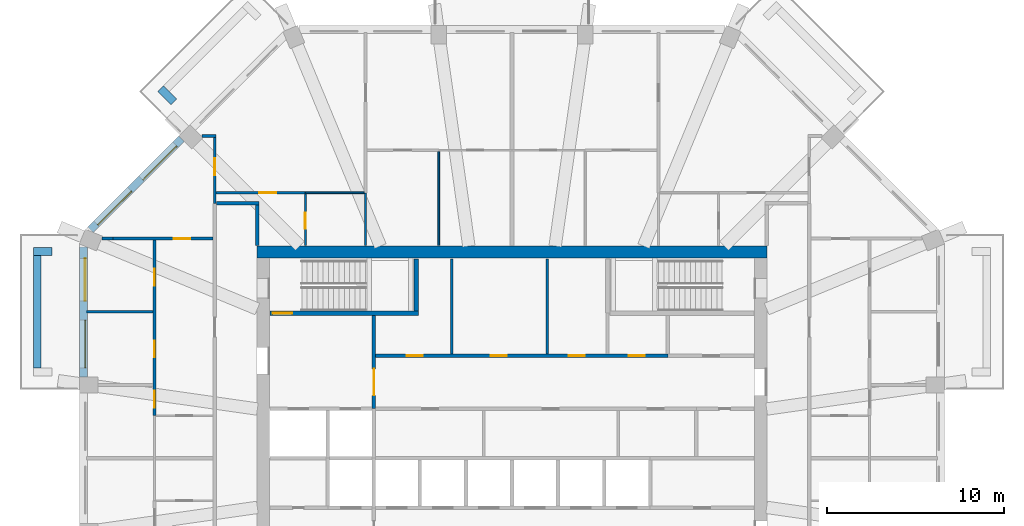
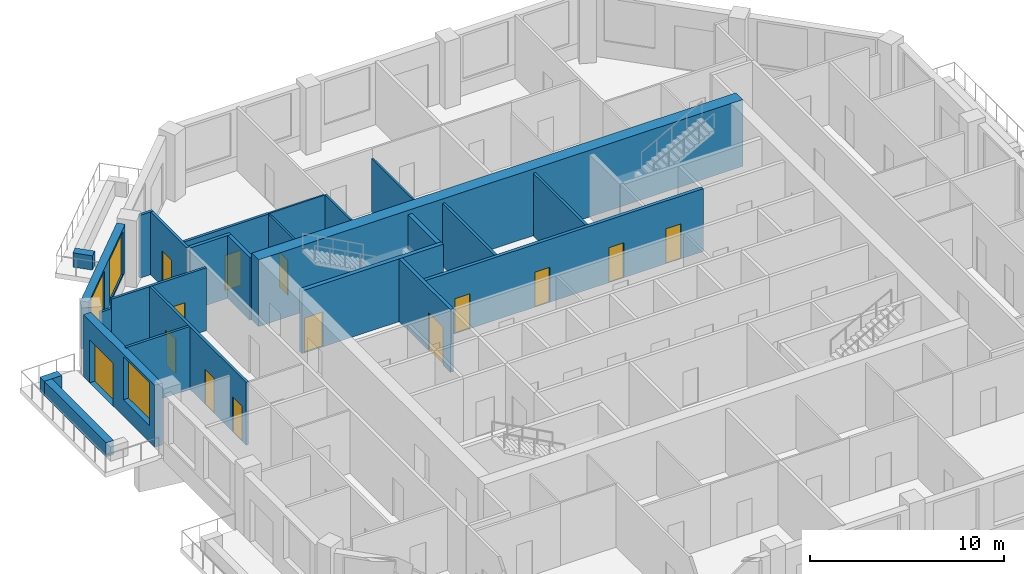
# One storey, part 7 of 12: 25 walls, 14 doors, 3 windows, 17 openings.
"""IFC4 building model written with IfcOpenShell, lengths in metres."""

import ifcopenshell
import ifcopenshell.guid

model = None  # the IFC model being written
_history = None  # IfcOwnerHistory: only IFC2X3 demands one
_inside = {}  # id of a spatial element -> (the spatial element, [elements in it])
_under = {}  # id of a project, library or spatial element -> (it, [spatial elements below it])
_declared = {}  # id of a project -> (the project, [libraries it declares])
_typed = {}  # id of a type object -> (the type object, [elements of that type])
_made_of = {}  # id of a material, layer set ... -> (it, [elements and type objects made of it])


def new_model(schema):
    """Start an empty IFC model of exactly this schema.

    Asked for "IFC4X3", IfcOpenShell would pick the latest addendum, in which some entities
    have other attributes; the version numbers below select the first issue.
    IFC2X3 requires an IfcOwnerHistory on every rooted entity: one is made here for all.
    """
    global model, _history
    if schema == "IFC4X3":
        model = ifcopenshell.file(schema_version=(4, 3, 0, 0))
    else:
        model = ifcopenshell.file(schema=schema)
    _inside.clear()
    _under.clear()
    _declared.clear()
    _typed.clear()
    _made_of.clear()
    _history = None
    if model.schema == "IFC2X3":
        org = make("IfcOrganization", Name="unknown")
        user = make(
            "IfcPersonAndOrganization",
            ThePerson=make("IfcPerson", FamilyName="unknown"),
            TheOrganization=org,
        )
        app = make(
            "IfcApplication",
            ApplicationDeveloper=org,
            Version="unknown",
            ApplicationFullName="unknown",
            ApplicationIdentifier="unknown",
        )
        _history = make(
            "IfcOwnerHistory",
            OwningUser=user,
            OwningApplication=app,
            ChangeAction="ADDED",
            CreationDate=0,
        )
    return model


def make(cls, **values):
    """One entity of the class cls with the attributes given. An attribute that is None is left unset."""
    return model.create_entity(
        cls, **{name: value for name, value in values.items() if value is not None}
    )


def rooted(cls, **values):
    """An entity with a GlobalId (a new one), such as an element, a storey or a relation."""
    return make(cls, GlobalId=ifcopenshell.guid.new(), OwnerHistory=_history, **values)


def si_unit(unit_type, name, prefix=None):
    """IfcSIUnit, for example si_unit("LENGTHUNIT", "METRE", prefix="MILLI")."""
    return make("IfcSIUnit", UnitType=unit_type, Prefix=prefix, Name=name)


def assignment(units):
    """IfcUnitAssignment: the units of a project."""
    return None if units is None else make("IfcUnitAssignment", Units=units)


def point(xyz):
    """IfcCartesianPoint."""
    return None if xyz is None else make("IfcCartesianPoint", Coordinates=xyz)


def direction(xyz):
    """IfcDirection."""
    return None if xyz is None else make("IfcDirection", DirectionRatios=xyz)


def frame(location, z_axis=None, x_axis=None):
    """IfcAxis2Placement3D, a coordinate frame: its origin and axes. An axis left out is left unset."""
    return make(
        "IfcAxis2Placement3D",
        Location=point(location),
        Axis=direction(z_axis),
        RefDirection=direction(x_axis),
    )


def frame_2d(location, x_axis=None):
    """IfcAxis2Placement2D, a coordinate frame in the plane: its origin and x axis."""
    return make(
        "IfcAxis2Placement2D", Location=point(location), RefDirection=direction(x_axis)
    )


def origin():
    """The frame at (0, 0, 0) with its axes left unset."""
    return frame((0.0, 0.0, 0.0))


def place(relative_to, where):
    """IfcLocalPlacement: puts the frame where relative to a parent placement (None: the world)."""
    return make(
        "IfcLocalPlacement", PlacementRelTo=relative_to, RelativePlacement=where
    )


def context(
    kind, dimensions, precision=None, world=None, true_north=None, identifier=None
):
    """IfcGeometricRepresentationContext, for example the 3D "Model" context."""
    return make(
        "IfcGeometricRepresentationContext",
        ContextIdentifier=identifier,
        ContextType=kind,
        CoordinateSpaceDimension=dimensions,
        Precision=precision,
        WorldCoordinateSystem=world,
        TrueNorth=true_north,
    )


def subcontext(parent, identifier, kind, view, scale=None):
    """IfcGeometricRepresentationSubContext, for example "Body" below "Model"."""
    return make(
        "IfcGeometricRepresentationSubContext",
        ContextIdentifier=identifier,
        ContextType=kind,
        ParentContext=parent,
        TargetScale=scale,
        TargetView=view,
    )


def project(units=None, contexts=None):
    """IfcProject with its units and contexts."""
    return rooted(
        "IfcProject",
        Name="project",
        RepresentationContexts=contexts,
        UnitsInContext=assignment(units),
    )


def spatial(cls, under=None, at=None, **own):
    """A site, building, storey or space (cls), placed at a placement, below another one or the project."""
    s = rooted(cls, ObjectPlacement=at, **own)
    if under is not None:
        _under.setdefault(under.id(), (under, []))[1].append(s)
    return s


def profile(cls, at=None, kind="AREA", **sizes):
    """A parametric profile (cls). Its sizes go by their IFC names, for example OverallWidth=200.0."""
    return make(cls, ProfileType=kind, Position=at, **sizes)


def rectangle(**sizes):
    """IfcRectangleProfileDef."""
    return profile("IfcRectangleProfileDef", **sizes)


def extrude(swept, where, along, depth):
    """IfcExtrudedAreaSolid: the profile swept, set in the frame where, extruded along a direction by depth."""
    return make(
        "IfcExtrudedAreaSolid",
        SweptArea=swept,
        Position=where,
        ExtrudedDirection=direction(along),
        Depth=depth,
    )


def shape(context_of_items, identifier, shape_type, items):
    """IfcShapeRepresentation: the items that make up one representation, for example the "Body"."""
    return make(
        "IfcShapeRepresentation",
        ContextOfItems=context_of_items,
        RepresentationIdentifier=identifier,
        RepresentationType=shape_type,
        Items=items,
    )


def material(Name=None, Category=None):
    """IfcMaterial."""
    return make("IfcMaterial", Name=Name, Category=Category)


def layer(
    of_material, thickness, ventilated=None, Name=None, Category=None, Priority=None
):
    """IfcMaterialLayer: one layer of a wall or slab, of a material (None: an air gap)."""
    return make(
        "IfcMaterialLayer",
        Material=of_material,
        LayerThickness=thickness,
        IsVentilated=ventilated,
        Name=Name,
        Category=Category,
        Priority=Priority,
    )


def layer_set(layers, Name=None):
    """IfcMaterialLayerSet."""
    return make("IfcMaterialLayerSet", MaterialLayers=layers, LayerSetName=Name)


def made_of(thing, what):
    """Note that an element or type object is made of a material, layer set ...; save() writes the relation."""
    if what is not None:
        _made_of.setdefault(what.id(), (what, []))[1].append(thing)
    return thing


def type_object(cls, material=None, **own):
    """A type object (cls), such as IfcWallType, which elements share."""
    return made_of(rooted(cls, **own), material)


def element(
    cls,
    number,
    at=None,
    inside=None,
    cuts=None,
    type_object=None,
    material=None,
    context=None,
    identifier="Body",
    shape_type=None,
    held_by="IfcProductDefinitionShape",
    body=None,
    shapes=None,
    **own,
):
    """One element of the class cls, such as IfcWall. Its Tag is "e" and its number.

    at: its placement. inside: the storey or other place that contains it. cuts: it is an
    opening in that element (IfcRelVoidsElement). A single representation is given by context,
    identifier, shape_type and body (its items); several are given by shapes. held_by: the class
    of the entity that holds the representations. save() writes the other relations.
    """
    e = rooted(cls, Tag="e%d" % number, ObjectPlacement=at, **own)
    if body is not None:
        shapes = [shape(context, identifier, shape_type, body)]
    if shapes is not None:
        e.Representation = make(held_by, Representations=shapes)
    if inside is not None:
        _inside.setdefault(inside.id(), (inside, []))[1].append(e)
    if cuts is not None:
        rooted(
            "IfcRelVoidsElement", RelatingBuildingElement=cuts, RelatedOpeningElement=e
        )
    if type_object is not None:
        _typed.setdefault(type_object.id(), (type_object, []))[1].append(e)
    return made_of(e, material)


def fill(opening, filler):
    """IfcRelFillsElement: the door or window that sits in an opening."""
    return rooted(
        "IfcRelFillsElement",
        RelatingOpeningElement=opening,
        RelatedBuildingElement=filler,
    )


def aggregate(whole, parts):
    """IfcRelAggregates: a whole, such as a stair, and the parts it consists of."""
    return rooted("IfcRelAggregates", RelatingObject=whole, RelatedObjects=parts)


def save(model, path):
    """Write the relations noted so far, then the file.

    IfcRelAggregates (storeys below a building ...), IfcRelContainedInSpatialStructure (elements
    in a storey), IfcRelDefinesByType, IfcRelAssociatesMaterial and IfcRelDeclares: one each for
    every whole, place, type object, material and project.
    """
    for whole, parts in _under.values():
        aggregate(whole, parts)
    for where, things in _inside.values():
        rooted(
            "IfcRelContainedInSpatialStructure",
            RelatedElements=things,
            RelatingStructure=where,
        )
    for kind, things in _typed.values():
        rooted("IfcRelDefinesByType", RelatedObjects=things, RelatingType=kind)
    for what, things in _made_of.values():
        rooted("IfcRelAssociatesMaterial", RelatedObjects=things, RelatingMaterial=what)
    for by, libraries in _declared.values():
        rooted("IfcRelDeclares", RelatingContext=by, RelatedDefinitions=libraries)
    model.write(path)


model = new_model("IFC4")

# Units and contexts
model_context = context("Model", 3, precision=1e-05, world=origin(), true_north=direction((0.0, 1.0)))
body_context = subcontext(model_context, "Body", "Model", "MODEL_VIEW")
ifc_project = project(units=[si_unit("LENGTHUNIT", "METRE"), si_unit("AREAUNIT", "SQUARE_METRE"), si_unit("VOLUMEUNIT", "CUBIC_METRE"), si_unit("PLANEANGLEUNIT", "RADIAN"), si_unit("MASSUNIT", "GRAM", prefix="KILO")], contexts=[model_context])

# Site, building, storey
site_placement = place(None, origin())
site = spatial("IfcSite", under=ifc_project, at=site_placement, CompositionType="ELEMENT")
building_placement = place(site_placement, origin())
building = spatial("IfcBuilding", under=site, at=building_placement, Name="Msitu Wima Residences", CompositionType="ELEMENT")
storey_placement = place(building_placement, frame((0.0, 0.0, 162.300048828125)))
storey = spatial("IfcBuildingStorey", under=building, at=storey_placement, Name="L37", CompositionType="ELEMENT", Elevation=162.300048828125)

# Walls
ifc_material_1 = material(Name="Facing brick")
ifc_layer_1 = layer(ifc_material_1, 0.06494140625, Name="Facing brick")
ifc_material_2 = material(Name="Concrete C40/50", Category="concrete")
ifc_layer_2 = layer(ifc_material_2, 0.156005859375, Name="Concrete C40/50")
ifc_material_3 = material(Name="Waterproofing membrane")
ifc_layer_3 = layer(ifc_material_3, 0.00390625, Name="Waterproofing membrane")
ifc_material_4 = material(Name="Planting soil and planting")
ifc_layer_4 = layer(ifc_material_4, 0.22509765625, Name="Planting soil and planting")
ifc_layer_set_1 = layer_set([ifc_layer_1, ifc_layer_2, ifc_layer_3, ifc_layer_4], Name="Concrete C40/50")
wall_type_1 = type_object("IfcWallType", Name="Balcony planter PLANTER PL450", PredefinedType="USERDEFINED", material=ifc_layer_set_1)
wall_1_placement = place(storey_placement, frame((-19.107421875, 20.1328125, 0.0), z_axis=(0.0, 0.0, 1.0), x_axis=(-0.707106781187, 0.707106781187, 0.0)))
element("IfcWall", 1, at=wall_1_placement, inside=storey, type_object=wall_type_1, Name="Balcony planter NW0 L37", ObjectType="PLANTER", PredefinedType="USERDEFINED", context=body_context, shape_type="SweptSolid", body=[
    extrude(rectangle(XDim=1.050048828125, YDim=0.449951171875, at=frame_2d((0.52490234375, 0.0))), origin(), (0.0, 0.0, 1.0), 0.89990234375),
])
wall_2_placement = place(storey_placement, frame((-26.824951171875, 11.461669921875, 0.0), z_axis=(0.0, 0.0, 1.0), x_axis=(0.0, -1.0, 0.0)))
element("IfcWall", 2, at=wall_2_placement, inside=storey, type_object=wall_type_1, Name="Balcony planter W0 L37", ObjectType="PLANTER", PredefinedType="USERDEFINED", context=body_context, shape_type="SweptSolid", body=[
    extrude(rectangle(XDim=6.37451171875, YDim=0.449951171875, at=frame_2d((3.187255859375, 0.0))), origin(), (0.0, 0.0, 1.0), 0.89990234375),
])
wall_3_placement = place(storey_placement, frame((-26.0, 11.686767578125, 0.0), z_axis=(0.0, 0.0, 1.0), x_axis=(-1.0, 0.0, 0.0)))
element("IfcWall", 3, at=wall_3_placement, inside=storey, type_object=wall_type_1, Name="Balcony planter W0 L37", ObjectType="PLANTER", PredefinedType="USERDEFINED", context=body_context, shape_type="SweptSolid", body=[
    extrude(rectangle(XDim=1.050048828125, YDim=0.449951171875, at=frame_2d((0.52490234375, 0.0))), origin(), (0.0, 0.0, 1.0), 0.89990234375),
])

# Wall, openings, windows
ifc_material_5 = material(Name="Brick (red buff mix)", Category="masonry")
ifc_layer_5 = layer(ifc_material_5, 0.449951171875)
ifc_layer_set_2 = layer_set([ifc_layer_5], Name="Brick (red buff mix)")
wall_type_2 = type_object("IfcWallType", Name="Brick infill wall BW450", PredefinedType="SOLIDWALL", material=ifc_layer_set_2)
wall_4_placement = place(storey_placement, frame((-18.68310546875, 18.046875, 0.89990234375), z_axis=(0.0, 0.0, 1.0), x_axis=(-0.707106781187, -0.707106781187, 0.0)))
wall_4 = element("IfcWall", 4, at=wall_4_placement, inside=storey, type_object=wall_type_2, Name="Brick infill wall L37 NW1", PredefinedType="SOLIDWALL", context=body_context, shape_type="SweptSolid", body=[
    extrude(rectangle(XDim=7.257080078125, YDim=0.449951171875, at=frame_2d((3.62841796875, 0.0))), origin(), (0.0, 0.0, 1.0), 3.0),
])
opening_1_placement = place(wall_4_placement, frame((0.478515625, 0.0, 0.14990234375)))
opening_1 = element("IfcOpeningElement", 5, at=opening_1_placement, cuts=wall_4, Name="Opening W37.014", PredefinedType="OPENING", context=body_context, shape_type="SweptSolid", body=[
    extrude(rectangle(XDim=2.699951171875, YDim=2.699951171875, at=frame_2d((1.35009765625, 1.35009765625))), frame((0.0, 0.23486328125, 0.0), z_axis=(0.0, -1.0, 0.0), x_axis=(1.0, 0.0, 0.0)), (0.0, 0.0, 1.0), 0.469970703125),
])
opening_2_placement = place(wall_4_placement, frame((4.07861328125, 0.0, 0.14990234375)))
opening_2 = element("IfcOpeningElement", 6, at=opening_2_placement, cuts=wall_4, Name="Opening W37.015", PredefinedType="OPENING", context=body_context, shape_type="SweptSolid", body=[
    extrude(rectangle(XDim=2.699951171875, YDim=2.699951171875, at=frame_2d((1.35009765625, 1.35009765625))), frame((0.0, 0.23486328125, 0.0), z_axis=(0.0, -1.0, 0.0), x_axis=(1.0, 0.0, 0.0)), (0.0, 0.0, 1.0), 0.469970703125),
])
ifc_material_6 = material(Name="Anodised aluminium, bronze finish, clear low-emissivity double glazing", Category="aluminium")
window_type = type_object("IfcWindowType", Name="Window W2700x2700", PartitioningType="DOUBLE_PANEL_VERTICAL", PredefinedType="WINDOW", material=ifc_material_6)
window_1_placement = place(opening_1_placement, origin())
window_1 = element("IfcWindow", 7, at=window_1_placement, inside=storey, type_object=window_type, Name="Window L37 NW1.1", OverallHeight=2.699951171875, OverallWidth=2.699951171875, PartitioningType="SINGLE_PANEL", PredefinedType="WINDOW", context=body_context, shape_type="SweptSolid", body=[
    extrude(rectangle(XDim=2.699951171875, YDim=2.699951171875, at=frame_2d((1.35009765625, 1.35009765625))), frame((0.0, 0.135009765625, 0.0), z_axis=(0.0, -1.0, 0.0), x_axis=(1.0, 0.0, 0.0)), (0.0, 0.0, 1.0), 0.06005859375),
])
fill(opening_1, window_1)
window_2_placement = place(opening_2_placement, origin())
window_2 = element("IfcWindow", 8, at=window_2_placement, inside=storey, type_object=window_type, Name="Window L37 NW1.2", OverallHeight=2.699951171875, OverallWidth=2.699951171875, PartitioningType="SINGLE_PANEL", PredefinedType="WINDOW", context=body_context, shape_type="SweptSolid", body=[
    extrude(rectangle(XDim=2.699951171875, YDim=2.699951171875, at=frame_2d((1.35009765625, 1.35009765625))), frame((0.0, 0.135009765625, 0.0), z_axis=(0.0, -1.0, 0.0), x_axis=(1.0, 0.0, 0.0)), (0.0, 0.0, 1.0), 0.06005859375),
])
fill(opening_2, window_2)

# Wall, openings, door, window
wall_5_placement = place(storey_placement, frame((-24.22509765625, 11.9248046875, 0.0), z_axis=(0.0, 0.0, 1.0), x_axis=(0.0, -1.0, 0.0)))
wall_5 = element("IfcWall", 9, at=wall_5_placement, inside=storey, type_object=wall_type_2, Name="Brick infill wall L37 W0", PredefinedType="SOLIDWALL", context=body_context, shape_type="SweptSolid", body=[
    extrude(rectangle(XDim=7.337646484375, YDim=0.449951171875, at=frame_2d((3.6689453125, 0.0))), origin(), (0.0, 0.0, 1.0), 3.89990234375),
])
opening_3_placement = place(wall_5_placement, frame((0.63427734375, 0.0, 0.0)))
opening_3 = element("IfcOpeningElement", 10, at=opening_3_placement, cuts=wall_5, Name="Opening D37.009", PredefinedType="OPENING", context=body_context, shape_type="SweptSolid", body=[
    extrude(rectangle(XDim=2.39990234375, YDim=2.699951171875, at=frame_2d((1.199951171875, 1.35009765625))), frame((0.0, 0.23486328125, 0.0), z_axis=(0.0, -1.0, 0.0), x_axis=(1.0, 0.0, 0.0)), (0.0, 0.0, 1.0), 0.469970703125),
])
opening_4_placement = place(wall_5_placement, frame((4.11865234375, 0.0, 1.050048828125)))
opening_4 = element("IfcOpeningElement", 11, at=opening_4_placement, cuts=wall_5, Name="Opening W37.027", PredefinedType="OPENING", context=body_context, shape_type="SweptSolid", body=[
    extrude(rectangle(XDim=2.699951171875, YDim=2.699951171875, at=frame_2d((1.35009765625, 1.35009765625))), frame((0.0, 0.23486328125, 0.0), z_axis=(0.0, -1.0, 0.0), x_axis=(1.0, 0.0, 0.0)), (0.0, 0.0, 1.0), 0.469970703125),
])
door_type_1 = type_object("IfcDoorType", Name="Balcony door D2400x2700", OperationType="SLIDING_TO_LEFT", PredefinedType="DOOR", material=ifc_material_6)
door_1_placement = place(opening_3_placement, origin())
door_1 = element("IfcDoor", 12, at=door_1_placement, inside=storey, type_object=door_type_1, Name="Balcony door L37 W0", OperationType="SINGLE_SWING_LEFT", OverallHeight=2.699951171875, OverallWidth=2.39990234375, PredefinedType="DOOR", context=body_context, shape_type="SweptSolid", body=[
    extrude(rectangle(XDim=2.39990234375, YDim=2.699951171875, at=frame_2d((1.199951171875, 1.35009765625))), frame((0.0, 0.1298828125, 0.0), z_axis=(0.0, -1.0, 0.0), x_axis=(1.0, 0.0, 0.0)), (0.0, 0.0, 1.0), 0.050048828125),
])
fill(opening_3, door_1)
window_3_placement = place(opening_4_placement, origin())
window_3 = element("IfcWindow", 13, at=window_3_placement, inside=storey, type_object=window_type, Name="Window L37 W0.2", OverallHeight=2.699951171875, OverallWidth=2.699951171875, PartitioningType="SINGLE_PANEL", PredefinedType="WINDOW", context=body_context, shape_type="SweptSolid", body=[
    extrude(rectangle(XDim=2.699951171875, YDim=2.699951171875, at=frame_2d((1.35009765625, 1.35009765625))), frame((0.0, 0.135009765625, 0.0), z_axis=(0.0, -1.0, 0.0), x_axis=(1.0, 0.0, 0.0)), (0.0, 0.0, 1.0), 0.06005859375),
])
fill(opening_4, window_3)

# Walls
ifc_material_7 = material(Name="Concrete C60/75", Category="concrete")
ifc_layer_6 = layer(ifc_material_7, 0.699951171875)
ifc_layer_set_3 = layer_set([ifc_layer_6], Name="Concrete C60/75")
wall_type_3 = type_object("IfcWallType", Name="Core wall CW700 C60/75", PredefinedType="SHEAR", material=ifc_layer_set_3)
wall_6_placement = place(storey_placement, frame((-14.39990234375, 11.64990234375, 0.0), z_axis=(0.0, 0.0, 1.0), x_axis=(1.0, 0.0, 0.0)))
element("IfcWall", 14, at=wall_6_placement, inside=storey, type_object=wall_type_3, Name="Core wall", PredefinedType="SHEAR", context=body_context, shape_type="SweptSolid", body=[
    extrude(rectangle(XDim=28.7998046875, YDim=0.699951171875, at=frame_2d((14.39990234375, 0.0))), origin(), (0.0, 0.0, 1.0), 4.199951171875),
])
ifc_material_8 = material(Name="Plaster")
ifc_layer_7 = layer(ifc_material_8, 0.011962890625, Name="Plaster")
ifc_material_9 = material(Name="Concrete blockwork", Category="masonry")
ifc_layer_8 = layer(ifc_material_9, 0.176025390625, Name="Concrete blockwork")
ifc_layer_9 = layer(ifc_material_8, 0.011962890625, Name="Plaster")
ifc_layer_set_4 = layer_set([ifc_layer_7, ifc_layer_8, ifc_layer_9], Name="Concrete blockwork")
wall_type_4 = type_object("IfcWallType", Name="Corridor wall FW200", PredefinedType="PARTITIONING", material=ifc_layer_set_4)
wall_7_placement = place(storey_placement, frame((-16.699951171875, 14.39990234375, 0.0), z_axis=(0.0, 0.0, 1.0), x_axis=(1.0, 0.0, 0.0)))
element("IfcWall", 15, at=wall_7_placement, inside=storey, type_object=wall_type_4, Name="Corridor wall", PredefinedType="PARTITIONING", context=body_context, shape_type="SweptSolid", body=[
    extrude(rectangle(XDim=2.39990234375, YDim=0.199951171875, at=frame_2d((1.199951171875, 0.0))), origin(), (0.0, 0.0, 1.0), 3.949951171875),
])
wall_8_placement = place(storey_placement, frame((-14.39990234375, 12.030029296875, 0.0), z_axis=(0.0, 0.0, 1.0), x_axis=(0.0, 1.0, 0.0)))
element("IfcWall", 16, at=wall_8_placement, inside=storey, type_object=wall_type_4, Name="Corridor wall", PredefinedType="PARTITIONING", context=body_context, shape_type="SweptSolid", body=[
    extrude(rectangle(XDim=2.27001953125, YDim=0.199951171875, at=frame_2d((1.135009765625, 0.0))), origin(), (0.0, 0.0, 1.0), 3.949951171875),
])

# Wall, opening, door
wall_9_placement = place(storey_placement, frame((-7.800048828125, 2.800048828125, 0.0), z_axis=(0.0, 0.0, 1.0), x_axis=(0.0, 1.0, 0.0)))
wall_9 = element("IfcWall", 17, at=wall_9_placement, inside=storey, type_object=wall_type_4, Name="Corridor wall", PredefinedType="PARTITIONING", context=body_context, shape_type="SweptSolid", body=[
    extrude(rectangle(XDim=5.27490234375, YDim=0.199951171875, at=frame_2d((2.637451171875, 0.0))), origin(), (0.0, 0.0, 1.0), 3.949951171875),
])
opening_5_placement = place(wall_9_placement, frame((0.75, 0.0, 0.0)))
opening_5 = element("IfcOpeningElement", 18, at=opening_5_placement, cuts=wall_9, Name="Opening D37.061", PredefinedType="OPENING", context=body_context, shape_type="SweptSolid", body=[
    extrude(rectangle(XDim=1.5, YDim=2.39990234375, at=frame_2d((0.75, 1.199951171875))), frame((0.0, 0.10986328125, 0.0), z_axis=(0.0, -1.0, 0.0), x_axis=(1.0, 0.0, 0.0)), (0.0, 0.0, 1.0), 0.219970703125),
])
ifc_material_10 = material(Name="Steel framed glazed door, fire resisting", Category="steel")
door_type_2 = type_object("IfcDoorType", Name="Lobby door D07 1500x2400", OperationType="DOUBLE_DOOR_SINGLE_SWING", PredefinedType="DOOR", material=ifc_material_10)
door_2_placement = place(opening_5_placement, origin())
door_2 = element("IfcDoor", 19, at=door_2_placement, inside=storey, type_object=door_type_2, Name="Lobby door", OperationType="DOUBLE_DOOR_SINGLE_SWING", OverallHeight=2.39990234375, OverallWidth=1.5, PredefinedType="DOOR", context=body_context, shape_type="SweptSolid", body=[
    extrude(rectangle(XDim=1.5, YDim=2.39990234375, at=frame_2d((0.75, 1.199951171875))), frame((0.0, 0.02490234375, 0.0), z_axis=(0.0, -1.0, 0.0), x_axis=(1.0, 0.0, 0.0)), (0.0, 0.0, 1.0), 0.050048828125),
])
fill(opening_5, door_2)

# Wall, openings, doors
wall_10_placement = place(storey_placement, frame((-7.699951171875, 5.800048828125, 0.0), z_axis=(0.0, 0.0, 1.0), x_axis=(1.0, 0.0, 0.0)))
wall_10 = element("IfcWall", 20, at=wall_10_placement, inside=storey, type_object=wall_type_4, Name="Corridor wall", PredefinedType="PARTITIONING", context=body_context, shape_type="SweptSolid", body=[
    extrude(rectangle(XDim=16.52001953125, YDim=0.199951171875, at=frame_2d((8.260009765625, 0.0))), origin(), (0.0, 0.0, 1.0), 3.949951171875),
])
opening_6_placement = place(wall_10_placement, frame((1.75, 0.0, 0.0)))
opening_6 = element("IfcOpeningElement", 21, at=opening_6_placement, cuts=wall_10, Name="Opening D37.064", PredefinedType="OPENING", context=body_context, shape_type="SweptSolid", body=[
    extrude(rectangle(XDim=0.89990234375, YDim=2.199951171875, at=frame_2d((0.449951171875, 1.10009765625))), frame((0.0, 0.10986328125, 0.0), z_axis=(0.0, -1.0, 0.0), x_axis=(1.0, 0.0, 0.0)), (0.0, 0.0, 1.0), 0.219970703125),
])
opening_7_placement = place(wall_10_placement, frame((6.5, 0.0, 0.0)))
opening_7 = element("IfcOpeningElement", 22, at=opening_7_placement, cuts=wall_10, Name="Opening D37.065", PredefinedType="OPENING", context=body_context, shape_type="SweptSolid", body=[
    extrude(rectangle(XDim=0.89990234375, YDim=2.199951171875, at=frame_2d((0.449951171875, 1.10009765625))), frame((0.0, 0.10986328125, 0.0), z_axis=(0.0, -1.0, 0.0), x_axis=(1.0, 0.0, 0.0)), (0.0, 0.0, 1.0), 0.219970703125),
])
opening_8_placement = place(wall_10_placement, frame((10.89990234375, 0.0, 0.0)))
opening_8 = element("IfcOpeningElement", 23, at=opening_8_placement, cuts=wall_10, Name="Opening D37.066", PredefinedType="OPENING", context=body_context, shape_type="SweptSolid", body=[
    extrude(rectangle(XDim=0.89990234375, YDim=2.199951171875, at=frame_2d((0.449951171875, 1.10009765625))), frame((0.0, 0.10986328125, 0.0), z_axis=(0.0, -1.0, 0.0), x_axis=(1.0, 0.0, 0.0)), (0.0, 0.0, 1.0), 0.219970703125),
])
opening_9_placement = place(wall_10_placement, frame((14.300048828125, 0.0, 0.0)))
opening_9 = element("IfcOpeningElement", 24, at=opening_9_placement, cuts=wall_10, Name="Opening D37.067", PredefinedType="OPENING", context=body_context, shape_type="SweptSolid", body=[
    extrude(rectangle(XDim=0.89990234375, YDim=2.199951171875, at=frame_2d((0.449951171875, 1.10009765625))), frame((0.0, 0.10986328125, 0.0), z_axis=(0.0, -1.0, 0.0), x_axis=(1.0, 0.0, 0.0)), (0.0, 0.0, 1.0), 0.219970703125),
])
ifc_material_11 = material(Name="Timber flush door", Category="wood")
door_type_3 = type_object("IfcDoorType", Name="Service door D05 900x2200", OperationType="SINGLE_SWING_LEFT", PredefinedType="DOOR", material=ifc_material_11)
door_3_placement = place(opening_6_placement, origin())
door_3 = element("IfcDoor", 25, at=door_3_placement, inside=storey, type_object=door_type_3, Name="Service door", OperationType="SINGLE_SWING_RIGHT", OverallHeight=2.199951171875, OverallWidth=0.89990234375, PredefinedType="DOOR", context=body_context, shape_type="SweptSolid", body=[
    extrude(rectangle(XDim=0.89990234375, YDim=2.199951171875, at=frame_2d((0.449951171875, 1.10009765625))), frame((0.0, 0.02490234375, 0.0), z_axis=(0.0, -1.0, 0.0), x_axis=(1.0, 0.0, 0.0)), (0.0, 0.0, 1.0), 0.050048828125),
])
fill(opening_6, door_3)
door_4_placement = place(opening_7_placement, origin())
door_4 = element("IfcDoor", 26, at=door_4_placement, inside=storey, type_object=door_type_3, Name="Service door", OperationType="SINGLE_SWING_LEFT", OverallHeight=2.199951171875, OverallWidth=0.89990234375, PredefinedType="DOOR", context=body_context, shape_type="SweptSolid", body=[
    extrude(rectangle(XDim=0.89990234375, YDim=2.199951171875, at=frame_2d((0.449951171875, 1.10009765625))), frame((0.0, 0.02490234375, 0.0), z_axis=(0.0, -1.0, 0.0), x_axis=(1.0, 0.0, 0.0)), (0.0, 0.0, 1.0), 0.050048828125),
])
fill(opening_7, door_4)
door_5_placement = place(opening_8_placement, origin())
door_5 = element("IfcDoor", 27, at=door_5_placement, inside=storey, type_object=door_type_3, Name="Service door", OperationType="SINGLE_SWING_LEFT", OverallHeight=2.199951171875, OverallWidth=0.89990234375, PredefinedType="DOOR", context=body_context, shape_type="SweptSolid", body=[
    extrude(rectangle(XDim=0.89990234375, YDim=2.199951171875, at=frame_2d((0.449951171875, 1.10009765625))), frame((0.0, 0.02490234375, 0.0), z_axis=(0.0, -1.0, 0.0), x_axis=(1.0, 0.0, 0.0)), (0.0, 0.0, 1.0), 0.050048828125),
])
fill(opening_8, door_5)
door_6_placement = place(opening_9_placement, origin())
door_6 = element("IfcDoor", 28, at=door_6_placement, inside=storey, type_object=door_type_3, Name="Service door", OperationType="SINGLE_SWING_LEFT", OverallHeight=2.199951171875, OverallWidth=0.89990234375, PredefinedType="DOOR", context=body_context, shape_type="SweptSolid", body=[
    extrude(rectangle(XDim=0.89990234375, YDim=2.199951171875, at=frame_2d((0.449951171875, 1.10009765625))), frame((0.0, 0.02490234375, 0.0), z_axis=(0.0, -1.0, 0.0), x_axis=(1.0, 0.0, 0.0)), (0.0, 0.0, 1.0), 0.050048828125),
])
fill(opening_9, door_6)

# Walls
ifc_layer_10 = layer(ifc_material_8, 0.011962890625, Name="Plaster")
ifc_layer_11 = layer(ifc_material_9, 0.1259765625, Name="Concrete blockwork")
ifc_layer_12 = layer(ifc_material_8, 0.011962890625, Name="Plaster")
ifc_layer_set_5 = layer_set([ifc_layer_10, ifc_layer_11, ifc_layer_12], Name="Concrete blockwork")
wall_type_5 = type_object("IfcWallType", Name="Partition PW150", PredefinedType="PARTITIONING", material=ifc_layer_set_5)
wall_11_placement = place(storey_placement, frame((-24.054931640625, 8.2744140625, 0.0), z_axis=(0.0, 0.0, 1.0), x_axis=(1.0, 0.0, 0.0)))
element("IfcWall", 29, at=wall_11_placement, inside=storey, type_object=wall_type_5, Name="Partition", PredefinedType="PARTITIONING", context=body_context, shape_type="SweptSolid", body=[
    extrude(rectangle(XDim=3.780029296875, YDim=0.14990234375, at=frame_2d((1.89013671875, 0.0))), origin(), (0.0, 0.0, 1.0), 3.949951171875),
])
wall_12_placement = place(storey_placement, frame((-23.1689453125, 12.411865234375, 0.0), z_axis=(0.0, 0.0, 1.0), x_axis=(1.0, 0.0, 0.0)))
element("IfcWall", 30, at=wall_12_placement, inside=storey, type_object=wall_type_5, Name="Partition", PredefinedType="PARTITIONING", context=body_context, shape_type="SweptSolid", body=[
    extrude(rectangle(XDim=0.630615234375, YDim=0.14990234375, at=frame_2d((0.3154296875, 0.0))), origin(), (0.0, 0.0, 1.0), 3.349853515625),
])

# Wall, opening, door
wall_13_placement = place(storey_placement, frame((-22.538330078125, 12.411865234375, 0.0), z_axis=(0.0, 0.0, 1.0), x_axis=(1.0, 0.0, 0.0)))
wall_13 = element("IfcWall", 31, at=wall_13_placement, inside=storey, type_object=wall_type_5, Name="Partition", PredefinedType="PARTITIONING", context=body_context, shape_type="SweptSolid", body=[
    extrude(rectangle(XDim=5.638427734375, YDim=0.14990234375, at=frame_2d((2.8193359375, 0.0))), origin(), (0.0, 0.0, 1.0), 3.949951171875),
])
opening_10_placement = place(wall_13_placement, frame((3.41943359375, 0.0, 0.0)))
opening_10 = element("IfcOpeningElement", 32, at=opening_10_placement, cuts=wall_13, Name="Opening D37.030", PredefinedType="OPENING", context=body_context, shape_type="SweptSolid", body=[
    extrude(rectangle(XDim=0.949951171875, YDim=2.199951171875, at=frame_2d((0.47509765625, 1.10009765625))), frame((0.0, 0.0849609375, 0.0), z_axis=(0.0, -1.0, 0.0), x_axis=(1.0, 0.0, 0.0)), (0.0, 0.0, 1.0), 0.169921875),
])
door_type_4 = type_object("IfcDoorType", Name="Room door D12 950x2200", OperationType="SINGLE_SWING_LEFT", PredefinedType="DOOR", material=ifc_material_11)
door_7_placement = place(opening_10_placement, origin())
door_7 = element("IfcDoor", 33, at=door_7_placement, inside=storey, type_object=door_type_4, Name="Room door", OperationType="SINGLE_SWING_RIGHT", OverallHeight=2.199951171875, OverallWidth=0.949951171875, PredefinedType="DOOR", context=body_context, shape_type="SweptSolid", body=[
    extrude(rectangle(XDim=0.949951171875, YDim=2.199951171875, at=frame_2d((0.47509765625, 1.10009765625))), frame((0.0, 0.02490234375, 0.0), z_axis=(0.0, -1.0, 0.0), x_axis=(1.0, 0.0, 0.0)), (0.0, 0.0, 1.0), 0.050048828125),
])
fill(opening_10, door_7)

# Wall, openings, doors
wall_14_placement = place(storey_placement, frame((-20.199951171875, 2.39990234375, 0.0), z_axis=(0.0, 0.0, 1.0), x_axis=(0.0, 1.0, 0.0)))
wall_14 = element("IfcWall", 34, at=wall_14_placement, inside=storey, type_object=wall_type_5, Name="Partition", PredefinedType="PARTITIONING", context=body_context, shape_type="SweptSolid", body=[
    extrude(rectangle(XDim=9.936767578125, YDim=0.14990234375, at=frame_2d((4.96826171875, 0.0))), origin(), (0.0, 0.0, 1.0), 3.949951171875),
])
opening_11_placement = place(wall_14_placement, frame((0.449951171875, 0.0, 0.0)))
opening_11 = element("IfcOpeningElement", 35, at=opening_11_placement, cuts=wall_14, Name="Opening D37.027", PredefinedType="OPENING", context=body_context, shape_type="SweptSolid", body=[
    extrude(rectangle(XDim=0.949951171875, YDim=2.199951171875, at=frame_2d((0.47509765625, 1.10009765625))), frame((0.0, 0.0849609375, 0.0), z_axis=(0.0, -1.0, 0.0), x_axis=(1.0, 0.0, 0.0)), (0.0, 0.0, 1.0), 0.169921875),
])
opening_12_placement = place(wall_14_placement, frame((3.300048828125, 0.0, 0.0)))
opening_12 = element("IfcOpeningElement", 36, at=opening_12_placement, cuts=wall_14, Name="Opening D37.028", PredefinedType="OPENING", context=body_context, shape_type="SweptSolid", body=[
    extrude(rectangle(XDim=0.949951171875, YDim=2.199951171875, at=frame_2d((0.47509765625, 1.10009765625))), frame((0.0, 0.0849609375, 0.0), z_axis=(0.0, -1.0, 0.0), x_axis=(1.0, 0.0, 0.0)), (0.0, 0.0, 1.0), 0.169921875),
])
opening_13_placement = place(wall_14_placement, frame((7.35009765625, 0.0, 0.0)))
opening_13 = element("IfcOpeningElement", 37, at=opening_13_placement, cuts=wall_14, Name="Opening D37.029", PredefinedType="OPENING", context=body_context, shape_type="SweptSolid", body=[
    extrude(rectangle(XDim=0.949951171875, YDim=2.199951171875, at=frame_2d((0.47509765625, 1.10009765625))), frame((0.0, 0.0849609375, 0.0), z_axis=(0.0, -1.0, 0.0), x_axis=(1.0, 0.0, 0.0)), (0.0, 0.0, 1.0), 0.169921875),
])
door_8_placement = place(opening_11_placement, origin())
door_8 = element("IfcDoor", 38, at=door_8_placement, inside=storey, type_object=door_type_4, Name="Room door", OperationType="SINGLE_SWING_RIGHT", OverallHeight=2.199951171875, OverallWidth=0.949951171875, PredefinedType="DOOR", context=body_context, shape_type="SweptSolid", body=[
    extrude(rectangle(XDim=0.949951171875, YDim=2.199951171875, at=frame_2d((0.47509765625, 1.10009765625))), frame((0.0, 0.02490234375, 0.0), z_axis=(0.0, -1.0, 0.0), x_axis=(1.0, 0.0, 0.0)), (0.0, 0.0, 1.0), 0.050048828125),
])
fill(opening_11, door_8)
door_9_placement = place(opening_12_placement, origin())
door_9 = element("IfcDoor", 39, at=door_9_placement, inside=storey, type_object=door_type_4, Name="Room door", OperationType="SINGLE_SWING_LEFT", OverallHeight=2.199951171875, OverallWidth=0.949951171875, PredefinedType="DOOR", context=body_context, shape_type="SweptSolid", body=[
    extrude(rectangle(XDim=0.949951171875, YDim=2.199951171875, at=frame_2d((0.47509765625, 1.10009765625))), frame((0.0, 0.02490234375, 0.0), z_axis=(0.0, -1.0, 0.0), x_axis=(1.0, 0.0, 0.0)), (0.0, 0.0, 1.0), 0.050048828125),
])
fill(opening_12, door_9)
door_10_placement = place(opening_13_placement, origin())
door_10 = element("IfcDoor", 40, at=door_10_placement, inside=storey, type_object=door_type_4, Name="Room door", OperationType="SINGLE_SWING_LEFT", OverallHeight=2.199951171875, OverallWidth=0.949951171875, PredefinedType="DOOR", context=body_context, shape_type="SweptSolid", body=[
    extrude(rectangle(XDim=0.949951171875, YDim=2.199951171875, at=frame_2d((0.47509765625, 1.10009765625))), frame((0.0, 0.02490234375, 0.0), z_axis=(0.0, -1.0, 0.0), x_axis=(1.0, 0.0, 0.0)), (0.0, 0.0, 1.0), 0.050048828125),
])
fill(opening_13, door_10)

# Wall
wall_15_placement = place(storey_placement, frame((-17.509521484375, 18.205810546875, 0.0), z_axis=(0.0, 0.0, 1.0), x_axis=(1.0, 0.0, 0.0)))
element("IfcWall", 41, at=wall_15_placement, inside=storey, type_object=wall_type_5, Name="Partition", PredefinedType="PARTITIONING", context=body_context, shape_type="SweptSolid", body=[
    extrude(rectangle(XDim=0.784423828125, YDim=0.14990234375, at=frame_2d((0.39208984375, 0.0))), origin(), (0.0, 0.0, 1.0), 3.949951171875),
])

# Wall, opening, door
wall_16_placement = place(storey_placement, frame((-16.800048828125, 14.39990234375, 0.0), z_axis=(0.0, 0.0, 1.0), x_axis=(0.0, 1.0, 0.0)))
wall_16 = element("IfcWall", 42, at=wall_16_placement, inside=storey, type_object=wall_type_5, Name="Partition", PredefinedType="PARTITIONING", context=body_context, shape_type="SweptSolid", body=[
    extrude(rectangle(XDim=3.73095703125, YDim=0.14990234375, at=frame_2d((1.865478515625, 0.0))), origin(), (0.0, 0.0, 1.0), 3.949951171875),
])
opening_14_placement = place(wall_16_placement, frame((1.60009765625, 0.0, 0.0)))
opening_14 = element("IfcOpeningElement", 43, at=opening_14_placement, cuts=wall_16, Name="Opening D37.031", PredefinedType="OPENING", context=body_context, shape_type="SweptSolid", body=[
    extrude(rectangle(XDim=0.949951171875, YDim=2.199951171875, at=frame_2d((0.47509765625, 1.10009765625))), frame((0.0, 0.0849609375, 0.0), z_axis=(0.0, -1.0, 0.0), x_axis=(1.0, 0.0, 0.0)), (0.0, 0.0, 1.0), 0.169921875),
])
door_11_placement = place(opening_14_placement, origin())
door_11 = element("IfcDoor", 44, at=door_11_placement, inside=storey, type_object=door_type_4, Name="Room door", OperationType="SINGLE_SWING_RIGHT", OverallHeight=2.199951171875, OverallWidth=0.949951171875, PredefinedType="DOOR", context=body_context, shape_type="SweptSolid", body=[
    extrude(rectangle(XDim=0.949951171875, YDim=2.199951171875, at=frame_2d((0.47509765625, 1.10009765625))), frame((0.0, 0.02490234375, 0.0), z_axis=(0.0, -1.0, 0.0), x_axis=(1.0, 0.0, 0.0)), (0.0, 0.0, 1.0), 0.050048828125),
])
fill(opening_14, door_11)

wall_17_placement = place(storey_placement, frame((-16.72509765625, 15.0, 0.0), z_axis=(0.0, 0.0, 1.0), x_axis=(1.0, 0.0, 0.0)))
wall_17 = element("IfcWall", 45, at=wall_17_placement, inside=storey, type_object=wall_type_5, Name="Partition", PredefinedType="PARTITIONING", context=body_context, shape_type="SweptSolid", body=[
    extrude(rectangle(XDim=5.050537109375, YDim=0.14990234375, at=frame_2d((2.525390625, 0.0))), origin(), (0.0, 0.0, 1.0), 3.949951171875),
])
opening_15_placement = place(wall_17_placement, frame((2.449951171875, 0.0, 0.0)))
opening_15 = element("IfcOpeningElement", 46, at=opening_15_placement, cuts=wall_17, Name="Opening D37.033", PredefinedType="OPENING", context=body_context, shape_type="SweptSolid", body=[
    extrude(rectangle(XDim=0.949951171875, YDim=2.199951171875, at=frame_2d((0.47509765625, 1.10009765625))), frame((0.0, 0.0849609375, 0.0), z_axis=(0.0, -1.0, 0.0), x_axis=(1.0, 0.0, 0.0)), (0.0, 0.0, 1.0), 0.169921875),
])
door_12_placement = place(opening_15_placement, origin())
door_12 = element("IfcDoor", 47, at=door_12_placement, inside=storey, type_object=door_type_4, Name="Room door", OperationType="SINGLE_SWING_LEFT", OverallHeight=2.199951171875, OverallWidth=0.949951171875, PredefinedType="DOOR", context=body_context, shape_type="SweptSolid", body=[
    extrude(rectangle(XDim=0.949951171875, YDim=2.199951171875, at=frame_2d((0.47509765625, 1.10009765625))), frame((0.0, 0.02490234375, 0.0), z_axis=(0.0, -1.0, 0.0), x_axis=(1.0, 0.0, 0.0)), (0.0, 0.0, 1.0), 0.050048828125),
])
fill(opening_15, door_12)

# Walls
for number, where, z_axis, x_axis, name in (
    (48, (-3.39990234375, 5.89990234375, 0.0), (0.0, 0.0, 1.0), (0.0, 1.0, 0.0), "Partition"),
    (49, (2.0, 5.89990234375, 0.0), (0.0, 0.0, 1.0), (0.0, 1.0, 0.0), "Partition"),
):
    element("IfcWall", number, at=place(storey_placement, frame(where, z_axis=z_axis, x_axis=x_axis)), inside=storey, type_object=wall_type_5, Name=name, PredefinedType="PARTITIONING", context=body_context, shape_type="SweptSolid", body=[
        extrude(rectangle(XDim=5.3701171875, YDim=0.14990234375, at=frame_2d((2.68505859375, 0.0))), origin(), (0.0, 0.0, 1.0), 3.949951171875),
    ])

# Wall, opening, door
ifc_material_12 = material(Name="Concrete C50/60", Category="concrete")
ifc_layer_13 = layer(ifc_material_12, 0.25)
ifc_layer_set_6 = layer_set([ifc_layer_13], Name="Concrete C50/60")
wall_type_6 = type_object("IfcWallType", Name="Stair enclosure wall SW250", PredefinedType="SHEAR", material=ifc_layer_set_6)
wall_18_placement = place(storey_placement, frame((-13.669921875, 8.199951171875, 0.0), z_axis=(0.0, 0.0, 1.0), x_axis=(1.0, 0.0, 0.0)))
wall_18 = element("IfcWall", 50, at=wall_18_placement, inside=storey, type_object=wall_type_6, Name="Stair enclosure wall", PredefinedType="SHEAR", context=body_context, shape_type="SweptSolid", body=[
    extrude(rectangle(XDim=8.39501953125, YDim=0.25, at=frame_2d((4.197509765625, 0.0))), origin(), (0.0, 0.0, 1.0), 3.949951171875),
])
opening_16_placement = place(wall_18_placement, frame((0.14990234375, 0.0, 0.0)))
opening_16 = element("IfcOpeningElement", 51, at=opening_16_placement, cuts=wall_18, Name="Opening D37.081", PredefinedType="OPENING", context=body_context, shape_type="SweptSolid", body=[
    extrude(rectangle(XDim=1.10009765625, YDim=2.199951171875, at=frame_2d((0.550048828125, 1.10009765625))), frame((0.0, 0.135009765625, 0.0), z_axis=(0.0, -1.0, 0.0), x_axis=(1.0, 0.0, 0.0)), (0.0, 0.0, 1.0), 0.27001953125),
])
ifc_material_13 = material(Name="Steel door, fire resisting, panic bar", Category="steel")
door_type_5 = type_object("IfcDoorType", Name="Stair door D06 1100x2200", OperationType="SINGLE_SWING_LEFT", PredefinedType="DOOR", material=ifc_material_13)
door_13_placement = place(opening_16_placement, origin())
door_13 = element("IfcDoor", 52, at=door_13_placement, inside=storey, type_object=door_type_5, Name="Stair door", OperationType="SINGLE_SWING_LEFT", OverallHeight=2.199951171875, OverallWidth=1.10009765625, PredefinedType="DOOR", context=body_context, shape_type="SweptSolid", body=[
    extrude(rectangle(XDim=1.10009765625, YDim=2.199951171875, at=frame_2d((0.550048828125, 1.10009765625))), frame((0.0, 0.02490234375, 0.0), z_axis=(0.0, -1.0, 0.0), x_axis=(1.0, 0.0, 0.0)), (0.0, 0.0, 1.0), 0.050048828125),
])
fill(opening_16, door_13)

# Wall
wall_19_placement = place(storey_placement, frame((-5.39990234375, 8.324951171875, 0.0), z_axis=(0.0, 0.0, 1.0), x_axis=(0.0, 1.0, 0.0)))
element("IfcWall", 53, at=wall_19_placement, inside=storey, type_object=wall_type_6, Name="Stair enclosure wall", PredefinedType="SHEAR", context=body_context, shape_type="SweptSolid", body=[
    extrude(rectangle(XDim=2.945068359375, YDim=0.25, at=frame_2d((1.47265625, 0.0))), origin(), (0.0, 0.0, 1.0), 3.949951171875),
])

# Wall, opening, door
ifc_material_14 = material(Name="Ceramic tiles")
ifc_layer_14 = layer(ifc_material_14, 0.008056640625, Name="Ceramic tiles")
ifc_material_15 = material(Name="Moisture-resistant board")
ifc_layer_15 = layer(ifc_material_15, 0.012451171875, Name="Moisture-resistant board")
ifc_material_16 = material(Name="Light-gauge stud framing with mineral wool")
ifc_layer_16 = layer(ifc_material_16, 0.06689453125, Name="Light-gauge stud framing with mineral wool")
ifc_layer_17 = layer(ifc_material_15, 0.012451171875, Name="Moisture-resistant board")
ifc_layer_set_7 = layer_set([ifc_layer_14, ifc_layer_15, ifc_layer_16, ifc_layer_17], Name="Light-gauge stud framing with mineral wool")
wall_type_7 = type_object("IfcWallType", Name="Wet wall PW100", PredefinedType="PARTITIONING", material=ifc_layer_set_7)
wall_20_placement = place(storey_placement, frame((-11.674560546875, 12.030029296875, 0.0), z_axis=(0.0, 0.0, 1.0), x_axis=(0.0, 1.0, 0.0)))
wall_20 = element("IfcWall", 54, at=wall_20_placement, inside=storey, type_object=wall_type_7, Name="Wet wall", PredefinedType="PARTITIONING", context=body_context, shape_type="SweptSolid", body=[
    extrude(rectangle(XDim=2.89501953125, YDim=0.10009765625, at=frame_2d((1.447509765625, 0.0))), origin(), (0.0, 0.0, 1.0), 3.949951171875),
])
opening_17_placement = place(wall_20_placement, frame((0.949951171875, 0.0, 0.0)))
opening_17 = element("IfcOpeningElement", 55, at=opening_17_placement, cuts=wall_20, Name="Opening D37.026", PredefinedType="OPENING", context=body_context, shape_type="SweptSolid", body=[
    extrude(rectangle(XDim=0.89990234375, YDim=2.199951171875, at=frame_2d((0.449951171875, 1.10009765625))), frame((0.0, 0.06005859375, 0.0), z_axis=(0.0, -1.0, 0.0), x_axis=(1.0, 0.0, 0.0)), (0.0, 0.0, 1.0), 0.1201171875),
])
door_14_placement = place(opening_17_placement, origin())
door_14 = element("IfcDoor", 56, at=door_14_placement, inside=storey, type_object=door_type_3, Name="Service door", OperationType="SINGLE_SWING_RIGHT", OverallHeight=2.199951171875, OverallWidth=0.89990234375, PredefinedType="DOOR", context=body_context, shape_type="SweptSolid", body=[
    extrude(rectangle(XDim=0.89990234375, YDim=2.199951171875, at=frame_2d((0.449951171875, 1.10009765625))), frame((0.0, 0.02490234375, 0.0), z_axis=(0.0, -1.0, 0.0), x_axis=(1.0, 0.0, 0.0)), (0.0, 0.0, 1.0), 0.050048828125),
])
fill(opening_17, door_14)

# Walls
wall_21_placement = place(storey_placement, frame((-11.674560546875, 15.0, 0.0), z_axis=(0.0, 0.0, 1.0), x_axis=(1.0, 0.0, 0.0)))
element("IfcWall", 57, at=wall_21_placement, inside=storey, type_object=wall_type_7, Name="Wet wall", PredefinedType="PARTITIONING", context=body_context, shape_type="SweptSolid", body=[
    extrude(rectangle(XDim=3.324951171875, YDim=0.10009765625, at=frame_2d((1.66259765625, 0.0))), origin(), (0.0, 0.0, 1.0), 3.949951171875),
])
wall_22_placement = place(storey_placement, frame((-8.2744140625, 12.030029296875, 0.0), z_axis=(0.0, 0.0, 1.0), x_axis=(0.0, 1.0, 0.0)))
element("IfcWall", 58, at=wall_22_placement, inside=storey, type_object=wall_type_7, Name="Wet wall", PredefinedType="PARTITIONING", context=body_context, shape_type="SweptSolid", body=[
    extrude(rectangle(XDim=2.949951171875, YDim=0.10009765625, at=frame_2d((1.47509765625, 0.0))), origin(), (0.0, 0.0, 1.0), 3.949951171875),
])
wall_23_placement = place(storey_placement, frame((-4.13720703125, 12.030029296875, 0.0), z_axis=(0.0, 0.0, 1.0), x_axis=(0.0, 1.0, 0.0)))
element("IfcWall", 59, at=wall_23_placement, inside=storey, type_object=wall_type_7, Name="Wet wall", PredefinedType="PARTITIONING", context=body_context, shape_type="SweptSolid", body=[
    extrude(rectangle(XDim=5.294921875, YDim=0.10009765625, at=frame_2d((2.6474609375, 0.0))), origin(), (0.0, 0.0, 1.0), 3.349853515625),
])

save(model, "model.ifc")
